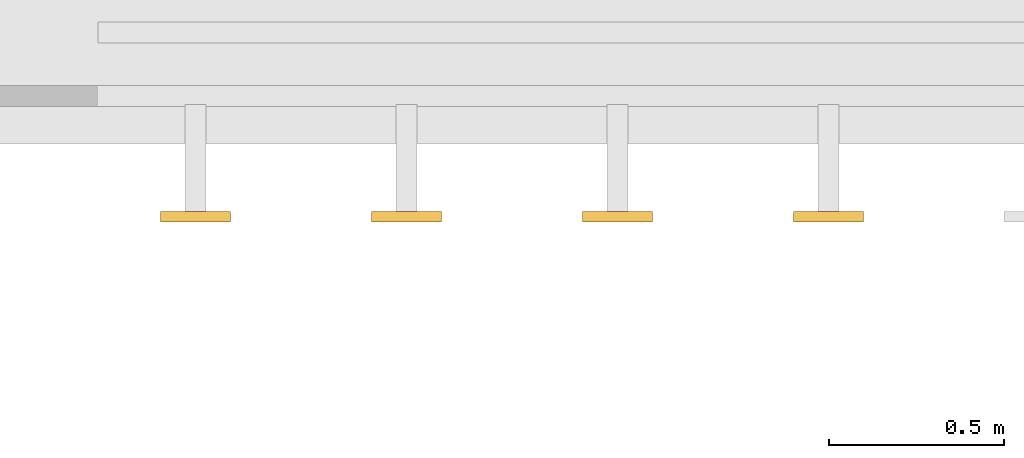
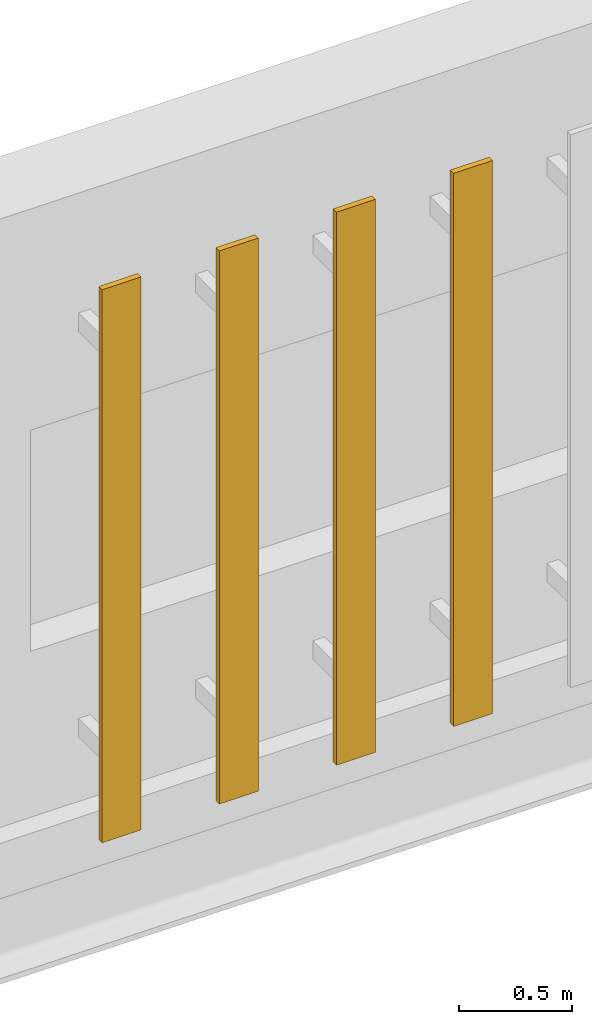
# One storey, part 122 of 142: 4 shading devices.
"""IFC4 building model written with IfcOpenShell, lengths in metres."""

import ifcopenshell
import ifcopenshell.guid

model = None  # the IFC model being written
_history = None  # IfcOwnerHistory: only IFC2X3 demands one
_inside = {}  # id of a spatial element -> (the spatial element, [elements in it])
_under = {}  # id of a project, library or spatial element -> (it, [spatial elements below it])
_declared = {}  # id of a project -> (the project, [libraries it declares])
_typed = {}  # id of a type object -> (the type object, [elements of that type])
_made_of = {}  # id of a material, layer set ... -> (it, [elements and type objects made of it])


def new_model(schema):
    """Start an empty IFC model of exactly this schema.

    Asked for "IFC4X3", IfcOpenShell would pick the latest addendum, in which some entities
    have other attributes; the version numbers below select the first issue.
    IFC2X3 requires an IfcOwnerHistory on every rooted entity: one is made here for all.
    """
    global model, _history
    if schema == "IFC4X3":
        model = ifcopenshell.file(schema_version=(4, 3, 0, 0))
    else:
        model = ifcopenshell.file(schema=schema)
    _inside.clear()
    _under.clear()
    _declared.clear()
    _typed.clear()
    _made_of.clear()
    _history = None
    if model.schema == "IFC2X3":
        org = make("IfcOrganization", Name="unknown")
        user = make(
            "IfcPersonAndOrganization",
            ThePerson=make("IfcPerson", FamilyName="unknown"),
            TheOrganization=org,
        )
        app = make(
            "IfcApplication",
            ApplicationDeveloper=org,
            Version="unknown",
            ApplicationFullName="unknown",
            ApplicationIdentifier="unknown",
        )
        _history = make(
            "IfcOwnerHistory",
            OwningUser=user,
            OwningApplication=app,
            ChangeAction="ADDED",
            CreationDate=0,
        )
    return model


def make(cls, **values):
    """One entity of the class cls with the attributes given. An attribute that is None is left unset."""
    return model.create_entity(
        cls, **{name: value for name, value in values.items() if value is not None}
    )


def rooted(cls, **values):
    """An entity with a GlobalId (a new one), such as an element, a storey or a relation."""
    return make(cls, GlobalId=ifcopenshell.guid.new(), OwnerHistory=_history, **values)


def si_unit(unit_type, name, prefix=None):
    """IfcSIUnit, for example si_unit("LENGTHUNIT", "METRE", prefix="MILLI")."""
    return make("IfcSIUnit", UnitType=unit_type, Prefix=prefix, Name=name)


def assignment(units):
    """IfcUnitAssignment: the units of a project."""
    return None if units is None else make("IfcUnitAssignment", Units=units)


def point(xyz):
    """IfcCartesianPoint."""
    return None if xyz is None else make("IfcCartesianPoint", Coordinates=xyz)


def direction(xyz):
    """IfcDirection."""
    return None if xyz is None else make("IfcDirection", DirectionRatios=xyz)


def frame(location, z_axis=None, x_axis=None):
    """IfcAxis2Placement3D, a coordinate frame: its origin and axes. An axis left out is left unset."""
    return make(
        "IfcAxis2Placement3D",
        Location=point(location),
        Axis=direction(z_axis),
        RefDirection=direction(x_axis),
    )


def frame_2d(location, x_axis=None):
    """IfcAxis2Placement2D, a coordinate frame in the plane: its origin and x axis."""
    return make(
        "IfcAxis2Placement2D", Location=point(location), RefDirection=direction(x_axis)
    )


def origin():
    """The frame at (0, 0, 0) with its axes left unset."""
    return frame((0.0, 0.0, 0.0))


def origin_2d():
    """The frame at (0, 0) in the plane with its x axis left unset."""
    return frame_2d((0.0, 0.0))


def place(relative_to, where):
    """IfcLocalPlacement: puts the frame where relative to a parent placement (None: the world)."""
    return make(
        "IfcLocalPlacement", PlacementRelTo=relative_to, RelativePlacement=where
    )


def context(
    kind, dimensions, precision=None, world=None, true_north=None, identifier=None
):
    """IfcGeometricRepresentationContext, for example the 3D "Model" context."""
    return make(
        "IfcGeometricRepresentationContext",
        ContextIdentifier=identifier,
        ContextType=kind,
        CoordinateSpaceDimension=dimensions,
        Precision=precision,
        WorldCoordinateSystem=world,
        TrueNorth=true_north,
    )


def subcontext(parent, identifier, kind, view, scale=None):
    """IfcGeometricRepresentationSubContext, for example "Body" below "Model"."""
    return make(
        "IfcGeometricRepresentationSubContext",
        ContextIdentifier=identifier,
        ContextType=kind,
        ParentContext=parent,
        TargetScale=scale,
        TargetView=view,
    )


def project(units=None, contexts=None):
    """IfcProject with its units and contexts."""
    return rooted(
        "IfcProject",
        Name="project",
        RepresentationContexts=contexts,
        UnitsInContext=assignment(units),
    )


def spatial(cls, under=None, at=None, **own):
    """A site, building, storey or space (cls), placed at a placement, below another one or the project."""
    s = rooted(cls, ObjectPlacement=at, **own)
    if under is not None:
        _under.setdefault(under.id(), (under, []))[1].append(s)
    return s


def profile(cls, at=None, kind="AREA", **sizes):
    """A parametric profile (cls). Its sizes go by their IFC names, for example OverallWidth=200.0."""
    return make(cls, ProfileType=kind, Position=at, **sizes)


def rectangle(**sizes):
    """IfcRectangleProfileDef."""
    return profile("IfcRectangleProfileDef", **sizes)


def extrude(swept, where, along, depth):
    """IfcExtrudedAreaSolid: the profile swept, set in the frame where, extruded along a direction by depth."""
    return make(
        "IfcExtrudedAreaSolid",
        SweptArea=swept,
        Position=where,
        ExtrudedDirection=direction(along),
        Depth=depth,
    )


def shape(context_of_items, identifier, shape_type, items):
    """IfcShapeRepresentation: the items that make up one representation, for example the "Body"."""
    return make(
        "IfcShapeRepresentation",
        ContextOfItems=context_of_items,
        RepresentationIdentifier=identifier,
        RepresentationType=shape_type,
        Items=items,
    )


def material(Name=None, Category=None):
    """IfcMaterial."""
    return make("IfcMaterial", Name=Name, Category=Category)


def layer(
    of_material, thickness, ventilated=None, Name=None, Category=None, Priority=None
):
    """IfcMaterialLayer: one layer of a wall or slab, of a material (None: an air gap)."""
    return make(
        "IfcMaterialLayer",
        Material=of_material,
        LayerThickness=thickness,
        IsVentilated=ventilated,
        Name=Name,
        Category=Category,
        Priority=Priority,
    )


def layer_set(layers, Name=None):
    """IfcMaterialLayerSet."""
    return make("IfcMaterialLayerSet", MaterialLayers=layers, LayerSetName=Name)


def made_of(thing, what):
    """Note that an element or type object is made of a material, layer set ...; save() writes the relation."""
    if what is not None:
        _made_of.setdefault(what.id(), (what, []))[1].append(thing)
    return thing


def type_object(cls, material=None, **own):
    """A type object (cls), such as IfcWallType, which elements share."""
    return made_of(rooted(cls, **own), material)


def element(
    cls,
    number,
    at=None,
    inside=None,
    cuts=None,
    type_object=None,
    material=None,
    context=None,
    identifier="Body",
    shape_type=None,
    held_by="IfcProductDefinitionShape",
    body=None,
    shapes=None,
    **own,
):
    """One element of the class cls, such as IfcWall. Its Tag is "e" and its number.

    at: its placement. inside: the storey or other place that contains it. cuts: it is an
    opening in that element (IfcRelVoidsElement). A single representation is given by context,
    identifier, shape_type and body (its items); several are given by shapes. held_by: the class
    of the entity that holds the representations. save() writes the other relations.
    """
    e = rooted(cls, Tag="e%d" % number, ObjectPlacement=at, **own)
    if body is not None:
        shapes = [shape(context, identifier, shape_type, body)]
    if shapes is not None:
        e.Representation = make(held_by, Representations=shapes)
    if inside is not None:
        _inside.setdefault(inside.id(), (inside, []))[1].append(e)
    if cuts is not None:
        rooted(
            "IfcRelVoidsElement", RelatingBuildingElement=cuts, RelatedOpeningElement=e
        )
    if type_object is not None:
        _typed.setdefault(type_object.id(), (type_object, []))[1].append(e)
    return made_of(e, material)


def aggregate(whole, parts):
    """IfcRelAggregates: a whole, such as a stair, and the parts it consists of."""
    return rooted("IfcRelAggregates", RelatingObject=whole, RelatedObjects=parts)


def save(model, path):
    """Write the relations noted so far, then the file.

    IfcRelAggregates (storeys below a building ...), IfcRelContainedInSpatialStructure (elements
    in a storey), IfcRelDefinesByType, IfcRelAssociatesMaterial and IfcRelDeclares: one each for
    every whole, place, type object, material and project.
    """
    for whole, parts in _under.values():
        aggregate(whole, parts)
    for where, things in _inside.values():
        rooted(
            "IfcRelContainedInSpatialStructure",
            RelatedElements=things,
            RelatingStructure=where,
        )
    for kind, things in _typed.values():
        rooted("IfcRelDefinesByType", RelatedObjects=things, RelatingType=kind)
    for what, things in _made_of.values():
        rooted("IfcRelAssociatesMaterial", RelatedObjects=things, RelatingMaterial=what)
    for by, libraries in _declared.values():
        rooted("IfcRelDeclares", RelatingContext=by, RelatedDefinitions=libraries)
    model.write(path)


model = new_model("IFC4")

# Units and contexts
model_context = context("Model", 3, precision=1e-05, world=origin(), true_north=direction((0.0, 1.0)))
body_context = subcontext(model_context, "Body", "Model", "MODEL_VIEW")
ifc_project = project(units=[si_unit("LENGTHUNIT", "METRE"), si_unit("AREAUNIT", "SQUARE_METRE"), si_unit("VOLUMEUNIT", "CUBIC_METRE"), si_unit("PLANEANGLEUNIT", "RADIAN"), si_unit("MASSUNIT", "GRAM", prefix="KILO")], contexts=[model_context])

# Site, building, storey
site_placement = place(None, origin())
site = spatial("IfcSite", under=ifc_project, at=site_placement, CompositionType="ELEMENT")
building_placement = place(site_placement, origin())
building = spatial("IfcBuilding", under=site, at=building_placement, Name="Kupolbacken Congress Centre", CompositionType="ELEMENT")
storey_placement = place(building_placement, frame((0.0, 0.0, 14.39990234375)))
storey = spatial("IfcBuildingStorey", under=building, at=storey_placement, Name="L04", CompositionType="ELEMENT", Elevation=14.39990234375)

# Shading devices
ifc_material = material(Name="Aluminium alloy louvre", Category="aluminium")
ifc_layer = layer(ifc_material, 0.030029296875)
ifc_layer_set = layer_set([ifc_layer], Name="Aluminium alloy louvre")
shading_device_type = type_object("IfcShadingDeviceType", Name="SC1 louvre blade 30 x 200", PredefinedType="JALOUSIE", material=ifc_layer_set)
for number, where, z_axis, x_axis, name in (
    (1, (131.678466796875, 42.675048828125, 0.300048828125), (0.0, 0.0, 1.0), (1.0, 0.0, 0.0), "E/brise/S/L04/439/B75"),
    (2, (132.279541015625, 42.675048828125, 0.300048828125), (0.0, 0.0, 1.0), (1.0, 0.0, 0.0), "E/brise/S/L04/439/B76"),
    (3, (132.880615234375, 42.675048828125, 0.300048828125), (0.0, 0.0, 1.0), (1.0, 0.0, 0.0), "E/brise/S/L04/439/B77"),
    (4, (133.481689453125, 42.675048828125, 0.300048828125), (0.0, 0.0, 1.0), (1.0, 0.0, 0.0), "E/brise/S/L04/439/B78"),
):
    element("IfcShadingDevice", number, at=place(storey_placement, frame(where, z_axis=z_axis, x_axis=x_axis)), inside=storey, type_object=shading_device_type, Name=name, PredefinedType="JALOUSIE", context=body_context, shape_type="SweptSolid", body=[
        extrude(rectangle(XDim=0.199951171875, YDim=0.030029296875, at=origin_2d()), origin(), (0.0, 0.0, 1.0), 3.0),
    ])

save(model, "model.ifc")
